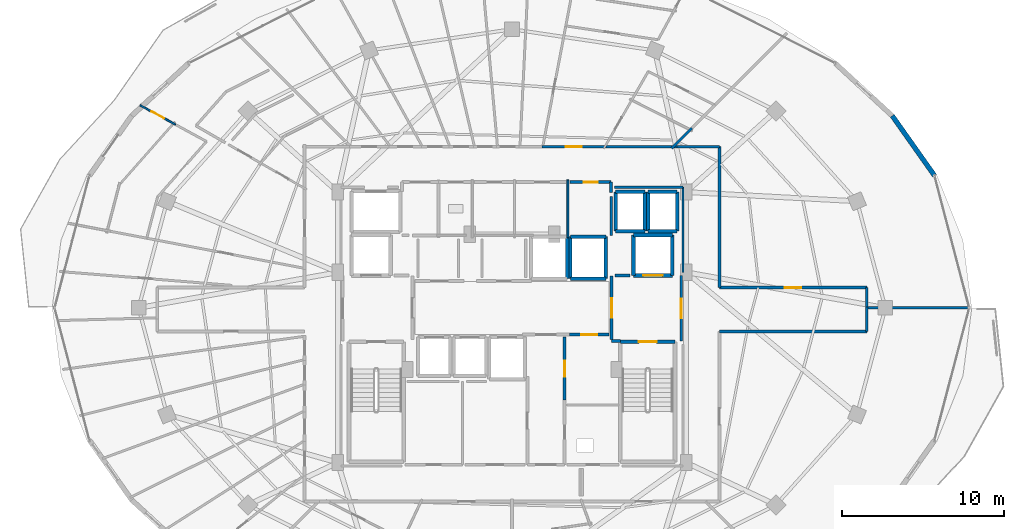
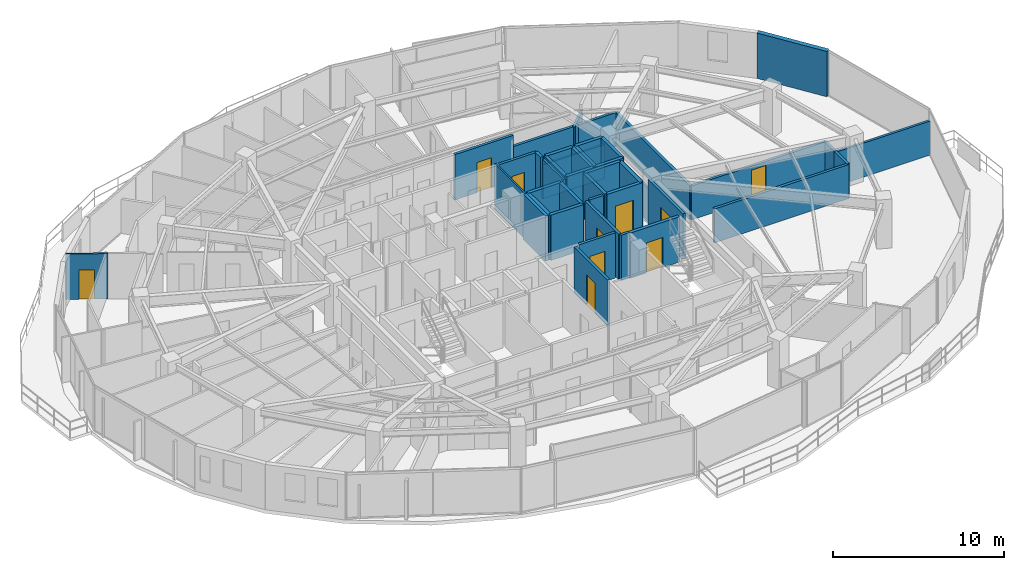
# One storey, part 28 of 33: 42 walls, 10 doors, 10 openings.
"""IFC4 building model written with IfcOpenShell, lengths in metres."""

from ifc_helpers import new_model, si_unit, direction, frame, frame_2d, origin, place, context, subcontext, project, spatial, rectangle, extrude, material, layer, layer_set, type_object, element, fill, save


model = new_model("IFC4")

# Units and contexts
model_context = context("Model", 3, precision=1e-05, world=origin(), true_north=direction((0.0, 1.0)))
body_context = subcontext(model_context, "Body", "Model", "MODEL_VIEW")
ifc_project = project(units=[si_unit("LENGTHUNIT", "METRE"), si_unit("AREAUNIT", "SQUARE_METRE"), si_unit("VOLUMEUNIT", "CUBIC_METRE"), si_unit("PLANEANGLEUNIT", "RADIAN"), si_unit("MASSUNIT", "GRAM", prefix="KILO")], contexts=[model_context])

# Site, building, storey
site_placement = place(None, origin())
site = spatial("IfcSite", under=ifc_project, at=site_placement, CompositionType="ELEMENT")
building_placement = place(site_placement, origin())
building = spatial("IfcBuilding", under=site, at=building_placement, Name="Vorneva Point Tower", CompositionType="ELEMENT")
storey_placement = place(building_placement, frame((0.0, 0.0, 189.60009765625)))
storey = spatial("IfcBuildingStorey", under=building, at=storey_placement, Name="L51", CompositionType="ELEMENT", Elevation=189.60009765625)

# Wall, opening, door
ifc_material_1 = material(Name="Concrete B60 (C50/60)", Category="concrete")
ifc_layer_1 = layer(ifc_material_1, 0.35009765625)
ifc_layer_set_1 = layer_set([ifc_layer_1], Name="Concrete B60 (C50/60)")
wall_type_1 = type_object("IfcWallType", Name="WL-CORE-350", PredefinedType="SHEAR", material=ifc_layer_set_1)
wall_1_placement = place(storey_placement, frame((45.5, 28.0, 0.0), z_axis=(0.0, 0.0, 1.0), x_axis=(1.0, 0.0, 0.0)))
wall_1 = element("IfcWall", 1, at=wall_1_placement, inside=storey, type_object=wall_type_1, Name="L51 Lift FFL2 Shaft Wall -Y", PredefinedType="SHEAR", context=body_context, shape_type="SweptSolid", body=[
    extrude(rectangle(XDim=2.39990234375, YDim=0.219970703125, at=frame_2d((1.199951171875, 0.0))), origin(), (0.0, 0.0, 1.0), 3.239990234375),
])
opening_1_placement = place(wall_1_placement, frame((0.60009765625, 0.0, 0.0)))
opening_1 = element("IfcOpeningElement", 2, at=opening_1_placement, cuts=wall_1, Name="Opening LD-02", PredefinedType="OPENING", context=body_context, shape_type="SweptSolid", body=[
    extrude(rectangle(XDim=1.199951171875, YDim=2.199951171875, at=frame_2d((0.60009765625, 1.10009765625))), frame((0.0, 0.125, 0.0), z_axis=(0.0, -1.0, 0.0), x_axis=(1.0, 0.0, 0.0)), (0.0, 0.0, 1.0), 0.249755859375),
])
ifc_material_2 = material(Name="Brushed stainless steel S304", Category="steel")
door_type_1 = type_object("IfcDoorType", Name="LD-FIRE-1200", OperationType="SLIDING_TO_LEFT", PredefinedType="DOOR", material=ifc_material_2)
door_1_placement = place(opening_1_placement, origin())
door_1 = element("IfcDoor", 3, at=door_1_placement, inside=storey, type_object=door_type_1, Name="L51 Lift FFL2 Sliding Landing Door", OperationType="SLIDING_TO_LEFT", OverallHeight=2.199951171875, OverallWidth=1.199951171875, PredefinedType="DOOR", context=body_context, shape_type="SweptSolid", body=[
    extrude(rectangle(XDim=1.199951171875, YDim=2.199951171875, at=frame_2d((0.60009765625, 1.10009765625))), frame((0.0, 0.02490234375, 0.0), z_axis=(0.0, -1.0, 0.0), x_axis=(1.0, 0.0, 0.0)), (0.0, 0.0, 1.0), 0.050048828125),
])
fill(opening_1, door_1)

# Walls
wall_2_placement = place(storey_placement, frame((47.89990234375, 28.0, 0.0), z_axis=(0.0, 0.0, 1.0), x_axis=(0.0, 1.0, 0.0)))
element("IfcWall", 4, at=wall_2_placement, inside=storey, type_object=wall_type_1, Name="L51 Lift FFL2 Shaft Wall +X", PredefinedType="SHEAR", context=body_context, shape_type="SweptSolid", body=[
    extrude(rectangle(XDim=2.5, YDim=0.219970703125, at=frame_2d((1.25, 0.0))), origin(), (0.0, 0.0, 1.0), 3.239990234375),
])
wall_3_placement = place(storey_placement, frame((47.89990234375, 30.5, 0.0), z_axis=(0.0, 0.0, 1.0), x_axis=(-1.0, 0.0, 0.0)))
element("IfcWall", 5, at=wall_3_placement, inside=storey, type_object=wall_type_1, Name="L51 Lift FFL2 Shaft Wall +Y", PredefinedType="SHEAR", context=body_context, shape_type="SweptSolid", body=[
    extrude(rectangle(XDim=2.39990234375, YDim=0.219970703125, at=frame_2d((1.199951171875, 0.0))), origin(), (0.0, 0.0, 1.0), 3.239990234375),
])
wall_4_placement = place(storey_placement, frame((45.5, 30.5, 0.0), z_axis=(0.0, 0.0, 1.0), x_axis=(0.0, -1.0, 0.0)))
element("IfcWall", 6, at=wall_4_placement, inside=storey, type_object=wall_type_1, Name="L51 Lift FFL2 Shaft Wall -X", PredefinedType="SHEAR", context=body_context, shape_type="SweptSolid", body=[
    extrude(rectangle(XDim=2.5, YDim=0.219970703125, at=frame_2d((1.25, 0.0))), origin(), (0.0, 0.0, 1.0), 3.239990234375),
])
ifc_material_3 = material(Name="Precast concrete B50 (C40/50)", Category="concrete")
ifc_layer_2 = layer(ifc_material_3, 0.300048828125)
ifc_layer_set_2 = layer_set([ifc_layer_2], Name="Precast concrete B50 (C40/50)")
wall_type_2 = type_object("IfcWallType", Name="WL-EXT-300", PredefinedType="STANDARD", material=ifc_layer_set_2)
wall_5_placement = place(storey_placement, frame((64.0810546875, 34.17041015625, 0.0), z_axis=(0.0, 0.0, 1.0), x_axis=(-0.577168747264, 0.81662490605, 0.0)))
element("IfcWall", 7, at=wall_5_placement, inside=storey, type_object=wall_type_2, Name="L51 Pale-Metal Facade Spandrel Wall 02.1", PredefinedType="STANDARD", context=body_context, shape_type="SweptSolid", body=[
    extrude(rectangle(XDim=4.519775390625, YDim=0.300048828125, at=frame_2d((2.259765625, 0.0))), origin(), (0.0, 0.0, 1.0), 3.239990234375),
])
ifc_material_4 = material(Name="Fire-rated acoustic gypsum stud partition", Category="gypsum")
ifc_layer_3 = layer(ifc_material_4, 0.110107421875)
ifc_layer_set_3 = layer_set([ifc_layer_3], Name="Fire-rated acoustic gypsum stud partition")
wall_type_3 = type_object("IfcWallType", Name="WL-PART-110", PredefinedType="PARTITIONING", material=ifc_layer_set_3)
wall_6_placement = place(storey_placement, frame((41.449951171875, 30.340087890625, 0.0), z_axis=(0.0, 0.0, 1.0), x_axis=(0.0, 1.0, 0.0)))
element("IfcWall", 8, at=wall_6_placement, inside=storey, type_object=wall_type_3, Name="L51 Interior Partition 026", PredefinedType="PARTITIONING", context=body_context, shape_type="SweptSolid", body=[
    extrude(rectangle(XDim=3.559814453125, YDim=0.110107421875, at=frame_2d((1.77978515625, 0.0))), origin(), (0.0, 0.0, 1.0), 3.239990234375),
])

# Wall, opening, door
wall_7_placement = place(storey_placement, frame((15.041015625, 38.510009765625, 0.0), z_axis=(0.0, 0.0, 1.0), x_axis=(0.877951724479, -0.478749171784, 0.0)))
wall_7 = element("IfcWall", 9, at=wall_7_placement, inside=storey, type_object=wall_type_3, Name="L51 Interior Partition 096", PredefinedType="PARTITIONING", context=body_context, shape_type="SweptSolid", body=[
    extrude(rectangle(XDim=2.4921875, YDim=0.110107421875, at=frame_2d((1.24609375, 0.0))), origin(), (0.0, 0.0, 1.0), 3.239990234375),
])
opening_2_placement = place(wall_7_placement, frame((0.7958984375, 0.0, 0.0)))
opening_2 = element("IfcOpeningElement", 10, at=opening_2_placement, cuts=wall_7, Name="Opening ID-01", PredefinedType="OPENING", context=body_context, shape_type="SweptSolid", body=[
    extrude(rectangle(XDim=0.89990234375, YDim=2.10009765625, at=frame_2d((0.449951171875, 1.050048828125))), frame((0.0, 0.06982421875, 0.0), z_axis=(0.0, -1.0, 0.0), x_axis=(1.0, 0.0, 0.0)), (0.0, 0.0, 1.0), 0.139892578125),
])
ifc_material_5 = material(Name="Engineered oak fire-rated door leaf", Category="wood")
door_type_2 = type_object("IfcDoorType", Name="DR-ROOM-900", OperationType="NOTDEFINED", PredefinedType="DOOR", material=ifc_material_5)
door_2_placement = place(opening_2_placement, origin())
door_2 = element("IfcDoor", 11, at=door_2_placement, inside=storey, type_object=door_type_2, Name="L51 Door Living and Dining Room L51-02 / Kitchen L51-02", OperationType="SINGLE_SWING_LEFT", OverallHeight=2.10009765625, OverallWidth=0.89990234375, PredefinedType="DOOR", context=body_context, shape_type="SweptSolid", body=[
    extrude(rectangle(XDim=0.89990234375, YDim=2.10009765625, at=frame_2d((0.449951171875, 1.050048828125))), frame((0.0, 0.02490234375, 0.0), z_axis=(0.0, -1.0, 0.0), x_axis=(1.0, 0.0, 0.0)), (0.0, 0.0, 1.0), 0.050048828125),
])
fill(opening_2, door_2)

# Walls
ifc_layer_4 = layer(ifc_material_4, 0.139892578125)
ifc_layer_set_4 = layer_set([ifc_layer_4], Name="Fire-rated acoustic gypsum stud partition")
wall_type_4 = type_object("IfcWallType", Name="WL-PART-140", PredefinedType="PARTITIONING", material=ifc_layer_set_4)
wall_8_placement = place(storey_placement, frame((44.1201171875, 30.47998046875, 0.0), z_axis=(0.0, 0.0, 1.0), x_axis=(0.0, 1.0, 0.0)))
element("IfcWall", 12, at=wall_8_placement, inside=storey, type_object=wall_type_4, Name="L51 Interior Closure Partition 136", PredefinedType="PARTITIONING", context=body_context, shape_type="SweptSolid", body=[
    extrude(rectangle(XDim=2.409912109375, YDim=0.139892578125, at=frame_2d((1.205078125, 0.0))), origin(), (0.0, 0.0, 1.0), 3.239990234375),
])
wall_9_placement = place(storey_placement, frame((48.550048828125, 28.196044921875, 0.0), z_axis=(0.0, 0.0, 1.0), x_axis=(0.0, 1.0, 0.0)))
element("IfcWall", 13, at=wall_9_placement, inside=storey, type_object=wall_type_4, Name="L51 Interior Closure Partition 143", PredefinedType="PARTITIONING", context=body_context, shape_type="SweptSolid", body=[
    extrude(rectangle(XDim=5.25390625, YDim=0.139892578125, at=frame_2d((2.626953125, 0.0))), origin(), (0.0, 0.0, 1.0), 2.431884765625),
])
wall_10_placement = place(storey_placement, frame((48.550048828125, 33.449951171875, 0.0), z_axis=(0.0, 0.0, 1.0), x_axis=(-1.0, 0.0, 0.0)))
element("IfcWall", 14, at=wall_10_placement, inside=storey, type_object=wall_type_4, Name="L51 Interior Closure Partition 144", PredefinedType="PARTITIONING", context=body_context, shape_type="SweptSolid", body=[
    extrude(rectangle(XDim=4.2099609375, YDim=0.139892578125, at=frame_2d((2.10498046875, 0.0))), origin(), (0.0, 0.0, 1.0), 2.431884765625),
])
ifc_layer_5 = layer(ifc_material_4, 0.159912109375)
ifc_layer_set_5 = layer_set([ifc_layer_5], Name="Fire-rated acoustic gypsum stud partition")
wall_type_5 = type_object("IfcWallType", Name="WL-PART-160", PredefinedType="PARTITIONING", material=ifc_layer_set_5)
wall_11_placement = place(storey_placement, frame((47.85107421875, 35.85107421875, 0.0), z_axis=(0.0, 0.0, 1.0), x_axis=(0.707106781187, 0.707106781187, 0.0)))
element("IfcWall", 15, at=wall_11_placement, inside=storey, type_object=wall_type_5, Name="L51 Interior Partition 084", PredefinedType="PARTITIONING", context=body_context, shape_type="SweptSolid", body=[
    extrude(rectangle(XDim=1.76318359375, YDim=0.159912109375, at=frame_2d((0.881591796875, 0.0))), origin(), (0.0, 0.0, 1.0), 2.431884765625),
])
wall_12_placement = place(storey_placement, frame((66.22900390625, 26.0, 0.0), z_axis=(0.0, 0.0, 1.0), x_axis=(-1.0, 0.0, 0.0)))
element("IfcWall", 16, at=wall_12_placement, inside=storey, type_object=wall_type_5, Name="L51 Interior Partition 132", PredefinedType="PARTITIONING", context=body_context, shape_type="SweptSolid", body=[
    extrude(rectangle(XDim=6.3291015625, YDim=0.159912109375, at=frame_2d((3.16455078125, 0.0))), origin(), (0.0, 0.0, 1.0), 2.431884765625),
])

# Wall, opening, door
ifc_material_6 = material(Name="Autoclaved aerated concrete blockwork", Category="masonry")
ifc_layer_6 = layer(ifc_material_6, 0.179931640625)
ifc_layer_set_6 = layer_set([ifc_layer_6], Name="Autoclaved aerated concrete blockwork")
wall_type_6 = type_object("IfcWallType", Name="WL-PART-180", PredefinedType="PARTITIONING", material=ifc_layer_set_6)
wall_13_placement = place(storey_placement, frame((44.14990234375, 27.955078125, 0.0), z_axis=(0.0, 0.0, 1.0), x_axis=(0.0, -1.0, 0.0)))
wall_13 = element("IfcWall", 17, at=wall_13_placement, inside=storey, type_object=wall_type_6, Name="L51 Interior Partition 003", PredefinedType="PARTITIONING", context=body_context, shape_type="SweptSolid", body=[
    extrude(rectangle(XDim=3.91015625, YDim=0.179931640625, at=frame_2d((1.955078125, 0.0))), origin(), (0.0, 0.0, 1.0), 3.239990234375),
])
opening_3_placement = place(wall_13_placement, frame((1.35498046875, 0.0, 0.0)))
opening_3 = element("IfcOpeningElement", 18, at=opening_3_placement, cuts=wall_13, Name="Opening FD-02", PredefinedType="OPENING", context=body_context, shape_type="SweptSolid", body=[
    extrude(rectangle(XDim=1.199951171875, YDim=2.14990234375, at=frame_2d((0.60009765625, 1.074951171875))), frame((0.0, 0.10498046875, 0.0), z_axis=(0.0, -1.0, 0.0), x_axis=(1.0, 0.0, 0.0)), (0.0, 0.0, 1.0), 0.209716796875),
])
ifc_material_7 = material(Name="Fire-rated powder-coated steel", Category="steel")
door_type_3 = type_object("IfcDoorType", Name="DR-FFL-1200", OperationType="NOTDEFINED", PredefinedType="DOOR", material=ifc_material_7)
door_3_placement = place(opening_3_placement, origin())
door_3 = element("IfcDoor", 19, at=door_3_placement, inside=storey, type_object=door_type_3, Name="L51 Door East Firefighting Lobby / Central Lift Lobby", OperationType="SINGLE_SWING_RIGHT", OverallHeight=2.14990234375, OverallWidth=1.199951171875, PredefinedType="DOOR", context=body_context, shape_type="SweptSolid", body=[
    extrude(rectangle(XDim=1.199951171875, YDim=2.14990234375, at=frame_2d((0.60009765625, 1.074951171875))), frame((0.0, 0.02490234375, 0.0), z_axis=(0.0, -1.0, 0.0), x_axis=(1.0, 0.0, 0.0)), (0.0, 0.0, 1.0), 0.050048828125),
])
fill(opening_3, door_3)

# Wall
wall_14_placement = place(storey_placement, frame((44.14990234375, 23.949951171875, 0.0), z_axis=(0.0, 0.0, 1.0), x_axis=(1.0, 0.0, 0.0)))
element("IfcWall", 20, at=wall_14_placement, inside=storey, type_object=wall_type_6, Name="L51 Interior Partition 004", PredefinedType="PARTITIONING", context=body_context, shape_type="SweptSolid", body=[
    extrude(rectangle(XDim=0.5400390625, YDim=0.179931640625, at=frame_2d((0.27001953125, 0.0))), origin(), (0.0, 0.0, 1.0), 3.239990234375),
])

# Wall, opening, door
wall_15_placement = place(storey_placement, frame((48.449951171875, 23.949951171875, 0.0), z_axis=(0.0, 0.0, 1.0), x_axis=(0.0, 1.0, 0.0)))
wall_15 = element("IfcWall", 21, at=wall_15_placement, inside=storey, type_object=wall_type_6, Name="L51 Interior Partition 005", PredefinedType="PARTITIONING", context=body_context, shape_type="SweptSolid", body=[
    extrude(rectangle(XDim=4.050048828125, YDim=0.179931640625, at=frame_2d((2.02490234375, 0.0))), origin(), (0.0, 0.0, 1.0), 3.239990234375),
])
opening_4_placement = place(wall_15_placement, frame((1.425048828125, 0.0, 0.0)))
opening_4 = element("IfcOpeningElement", 22, at=opening_4_placement, cuts=wall_15, Name="Opening FD-02", PredefinedType="OPENING", context=body_context, shape_type="SweptSolid", body=[
    extrude(rectangle(XDim=1.199951171875, YDim=2.14990234375, at=frame_2d((0.60009765625, 1.074951171875))), frame((0.0, 0.10498046875, 0.0), z_axis=(0.0, -1.0, 0.0), x_axis=(1.0, 0.0, 0.0)), (0.0, 0.0, 1.0), 0.209716796875),
])
door_4_placement = place(opening_4_placement, origin())
door_4 = element("IfcDoor", 23, at=door_4_placement, inside=storey, type_object=door_type_3, Name="L51 Door East Firefighting Lobby / L51 Circulation Corridor", OperationType="SINGLE_SWING_LEFT", OverallHeight=2.14990234375, OverallWidth=1.199951171875, PredefinedType="DOOR", context=body_context, shape_type="SweptSolid", body=[
    extrude(rectangle(XDim=1.199951171875, YDim=2.14990234375, at=frame_2d((0.60009765625, 1.074951171875))), frame((0.0, 0.02490234375, 0.0), z_axis=(0.0, -1.0, 0.0), x_axis=(1.0, 0.0, 0.0)), (0.0, 0.0, 1.0), 0.050048828125),
])
fill(opening_4, door_4)

wall_16_placement = place(storey_placement, frame((41.554931640625, 24.35009765625, 0.0), z_axis=(0.0, 0.0, 1.0), x_axis=(1.0, 0.0, 0.0)))
wall_16 = element("IfcWall", 24, at=wall_16_placement, inside=storey, type_object=wall_type_6, Name="L51 Interior Partition 011", PredefinedType="PARTITIONING", context=body_context, shape_type="SweptSolid", body=[
    extrude(rectangle(XDim=2.445068359375, YDim=0.179931640625, at=frame_2d((1.22265625, 0.0))), origin(), (0.0, 0.0, 1.0), 3.239990234375),
])
opening_5_placement = place(wall_16_placement, frame((0.722412109375, 0.0, 0.0)))
opening_5 = element("IfcOpeningElement", 25, at=opening_5_placement, cuts=wall_16, Name="Opening UD-01", PredefinedType="OPENING", context=body_context, shape_type="SweptSolid", body=[
    extrude(rectangle(XDim=1.0, YDim=2.14990234375, at=frame_2d((0.5, 1.074951171875))), frame((0.0, 0.10498046875, 0.0), z_axis=(0.0, -1.0, 0.0), x_axis=(1.0, 0.0, 0.0)), (0.0, 0.0, 1.0), 0.209716796875),
])
door_type_4 = type_object("IfcDoorType", Name="DR-UNIT-1000", OperationType="NOTDEFINED", PredefinedType="DOOR", material=ifc_material_5)
door_5_placement = place(opening_5_placement, origin())
door_5 = element("IfcDoor", 26, at=door_5_placement, inside=storey, type_object=door_type_4, Name="L51 Door Central Lift Lobby / Floor Management Office", OperationType="SINGLE_SWING_RIGHT", OverallHeight=2.14990234375, OverallWidth=1.0, PredefinedType="DOOR", context=body_context, shape_type="SweptSolid", body=[
    extrude(rectangle(XDim=1.0, YDim=2.14990234375, at=frame_2d((0.5, 1.074951171875))), frame((0.0, 0.02490234375, 0.0), z_axis=(0.0, -1.0, 0.0), x_axis=(1.0, 0.0, 0.0)), (0.0, 0.0, 1.0), 0.050048828125),
])
fill(opening_5, door_5)

wall_17_placement = place(storey_placement, frame((41.25, 20.304931640625, 0.0), z_axis=(0.0, 0.0, 1.0), x_axis=(0.0, 1.0, 0.0)))
wall_17 = element("IfcWall", 27, at=wall_17_placement, inside=storey, type_object=wall_type_6, Name="L51 Interior Partition 015", PredefinedType="PARTITIONING", context=body_context, shape_type="SweptSolid", body=[
    extrude(rectangle(XDim=3.89501953125, YDim=0.179931640625, at=frame_2d((1.947509765625, 0.0))), origin(), (0.0, 0.0, 1.0), 3.239990234375),
])
opening_6_placement = place(wall_17_placement, frame((1.447509765625, 0.0, 0.0)))
opening_6 = element("IfcOpeningElement", 28, at=opening_6_placement, cuts=wall_17, Name="Opening UD-01", PredefinedType="OPENING", context=body_context, shape_type="SweptSolid", body=[
    extrude(rectangle(XDim=1.0, YDim=2.14990234375, at=frame_2d((0.5, 1.074951171875))), frame((0.0, 0.10498046875, 0.0), z_axis=(0.0, -1.0, 0.0), x_axis=(1.0, 0.0, 0.0)), (0.0, 0.0, 1.0), 0.209716796875),
])
door_6_placement = place(opening_6_placement, origin())
door_6 = element("IfcDoor", 29, at=door_6_placement, inside=storey, type_object=door_type_4, Name="L51 Door Core Service Lobby / Floor Management Office", OperationType="SINGLE_SWING_RIGHT", OverallHeight=2.14990234375, OverallWidth=1.0, PredefinedType="DOOR", context=body_context, shape_type="SweptSolid", body=[
    extrude(rectangle(XDim=1.0, YDim=2.14990234375, at=frame_2d((0.5, 1.074951171875))), frame((0.0, 0.02490234375, 0.0), z_axis=(0.0, -1.0, 0.0), x_axis=(1.0, 0.0, 0.0)), (0.0, 0.0, 1.0), 0.050048828125),
])
fill(opening_6, door_6)

wall_18_placement = place(storey_placement, frame((44.1201171875, 33.760009765625, 0.0), z_axis=(0.0, 0.0, 1.0), x_axis=(-1.0, 0.0, 0.0)))
wall_18 = element("IfcWall", 30, at=wall_18_placement, inside=storey, type_object=wall_type_6, Name="L51 Interior Partition 029", PredefinedType="PARTITIONING", context=body_context, shape_type="SweptSolid", body=[
    extrude(rectangle(XDim=2.530029296875, YDim=0.179931640625, at=frame_2d((1.26513671875, 0.0))), origin(), (0.0, 0.0, 1.0), 3.239990234375),
])
opening_7_placement = place(wall_18_placement, frame((0.840087890625, 0.0, 0.0)))
opening_7 = element("IfcOpeningElement", 31, at=opening_7_placement, cuts=wall_18, Name="Opening ID-02", PredefinedType="OPENING", context=body_context, shape_type="SweptSolid", body=[
    extrude(rectangle(XDim=0.85009765625, YDim=2.10009765625, at=frame_2d((0.425048828125, 1.050048828125))), frame((0.0, 0.10498046875, 0.0), z_axis=(0.0, -1.0, 0.0), x_axis=(1.0, 0.0, 0.0)), (0.0, 0.0, 1.0), 0.209716796875),
])
door_type_5 = type_object("IfcDoorType", Name="DR-BATH-850", OperationType="NOTDEFINED", PredefinedType="DOOR", material=ifc_material_5)
door_7_placement = place(opening_7_placement, origin())
door_7 = element("IfcDoor", 32, at=door_7_placement, inside=storey, type_object=door_type_5, Name="L51 Door Cleaners Store / L51 Circulation Corridor", OperationType="SINGLE_SWING_LEFT", OverallHeight=2.10009765625, OverallWidth=0.85009765625, PredefinedType="DOOR", context=body_context, shape_type="SweptSolid", body=[
    extrude(rectangle(XDim=0.85009765625, YDim=2.10009765625, at=frame_2d((0.425048828125, 1.050048828125))), frame((0.0, 0.02490234375, 0.0), z_axis=(0.0, -1.0, 0.0), x_axis=(1.0, 0.0, 0.0)), (0.0, 0.0, 1.0), 0.050048828125),
])
fill(opening_7, door_7)

# Wall
wall_19_placement = place(storey_placement, frame((44.1201171875, 33.110107421875, 0.0), z_axis=(0.0, 0.0, 1.0), x_axis=(0.0, 1.0, 0.0)))
element("IfcWall", 33, at=wall_19_placement, inside=storey, type_object=wall_type_6, Name="L51 Interior Partition 030", PredefinedType="PARTITIONING", context=body_context, shape_type="SweptSolid", body=[
    extrude(rectangle(XDim=0.64990234375, YDim=0.179931640625, at=frame_2d((0.324951171875, 0.0))), origin(), (0.0, 0.0, 1.0), 3.239990234375),
])

# Wall, opening, door
wall_20_placement = place(storey_placement, frame((43.802978515625, 35.949951171875, 0.0), z_axis=(0.0, 0.0, 1.0), x_axis=(-1.0, 0.0, 0.0)))
wall_20 = element("IfcWall", 34, at=wall_20_placement, inside=storey, type_object=wall_type_6, Name="L51 Interior Partition 034", PredefinedType="PARTITIONING", context=body_context, shape_type="SweptSolid", body=[
    extrude(rectangle(XDim=3.965087890625, YDim=0.179931640625, at=frame_2d((1.982421875, 0.0))), origin(), (0.0, 0.0, 1.0), 3.239990234375),
])
opening_8_placement = place(wall_20_placement, frame((1.482421875, 0.0, 0.0)))
opening_8 = element("IfcOpeningElement", 35, at=opening_8_placement, cuts=wall_20, Name="Opening UD-01", PredefinedType="OPENING", context=body_context, shape_type="SweptSolid", body=[
    extrude(rectangle(XDim=1.0, YDim=2.14990234375, at=frame_2d((0.5, 1.074951171875))), frame((0.0, 0.10498046875, 0.0), z_axis=(0.0, -1.0, 0.0), x_axis=(1.0, 0.0, 0.0)), (0.0, 0.0, 1.0), 0.209716796875),
])
door_8_placement = place(opening_8_placement, origin())
door_8 = element("IfcDoor", 36, at=door_8_placement, inside=storey, type_object=door_type_4, Name="L51 Door L51 Circulation Corridor / Living and Dining Room L51-01", OperationType="SINGLE_SWING_RIGHT", OverallHeight=2.14990234375, OverallWidth=1.0, PredefinedType="DOOR", context=body_context, shape_type="SweptSolid", body=[
    extrude(rectangle(XDim=1.0, YDim=2.14990234375, at=frame_2d((0.5, 1.074951171875))), frame((0.0, 0.02490234375, 0.0), z_axis=(0.0, -1.0, 0.0), x_axis=(1.0, 0.0, 0.0)), (0.0, 0.0, 1.0), 0.050048828125),
])
fill(opening_8, door_8)

# Walls
wall_21_placement = place(storey_placement, frame((48.175048828125, 35.949951171875, 0.0), z_axis=(0.0, 0.0, 1.0), x_axis=(-1.0, 0.0, 0.0)))
element("IfcWall", 37, at=wall_21_placement, inside=storey, type_object=wall_type_6, Name="L51 Interior Partition 035", PredefinedType="PARTITIONING", context=body_context, shape_type="SweptSolid", body=[
    extrude(rectangle(XDim=4.511962890625, YDim=0.179931640625, at=frame_2d((2.255859375, 0.0))), origin(), (0.0, 0.0, 1.0), 2.431884765625),
])
wall_22_placement = place(storey_placement, frame((50.800048828125, 24.550048828125, 0.0), z_axis=(0.0, 0.0, 1.0), x_axis=(1.0, 0.0, 0.0)))
element("IfcWall", 38, at=wall_22_placement, inside=storey, type_object=wall_type_6, Name="L51 Interior Partition 066", PredefinedType="PARTITIONING", context=body_context, shape_type="SweptSolid", body=[
    extrude(rectangle(XDim=9.099853515625, YDim=0.179931640625, at=frame_2d((4.5498046875, 0.0))), origin(), (0.0, 0.0, 1.0), 2.431884765625),
])
wall_23_placement = place(storey_placement, frame((59.89990234375, 24.550048828125, 0.0), z_axis=(0.0, 0.0, 1.0), x_axis=(0.0, 1.0, 0.0)))
element("IfcWall", 39, at=wall_23_placement, inside=storey, type_object=wall_type_6, Name="L51 Interior Partition 067", PredefinedType="PARTITIONING", context=body_context, shape_type="SweptSolid", body=[
    extrude(rectangle(XDim=1.510009765625, YDim=0.179931640625, at=frame_2d((0.7548828125, 0.0))), origin(), (0.0, 0.0, 1.0), 2.431884765625),
])
wall_24_placement = place(storey_placement, frame((59.89990234375, 26.06005859375, 0.0), z_axis=(0.0, 0.0, 1.0), x_axis=(0.0, 1.0, 0.0)))
element("IfcWall", 40, at=wall_24_placement, inside=storey, type_object=wall_type_6, Name="L51 Interior Partition 068", PredefinedType="PARTITIONING", context=body_context, shape_type="SweptSolid", body=[
    extrude(rectangle(XDim=1.18994140625, YDim=0.179931640625, at=frame_2d((0.594970703125, 0.0))), origin(), (0.0, 0.0, 1.0), 2.431884765625),
])

# Wall, opening, door
wall_25_placement = place(storey_placement, frame((59.89990234375, 27.25, 0.0), z_axis=(0.0, 0.0, 1.0), x_axis=(-1.0, 0.0, 0.0)))
wall_25 = element("IfcWall", 41, at=wall_25_placement, inside=storey, type_object=wall_type_6, Name="L51 Interior Partition 069", PredefinedType="PARTITIONING", context=body_context, shape_type="SweptSolid", body=[
    extrude(rectangle(XDim=9.099853515625, YDim=0.179931640625, at=frame_2d((4.5498046875, 0.0))), origin(), (0.0, 0.0, 1.0), 2.431884765625),
])
opening_9_placement = place(wall_25_placement, frame((4.050048828125, 0.0, 0.0)))
opening_9 = element("IfcOpeningElement", 42, at=opening_9_placement, cuts=wall_25, Name="Opening UD-01", PredefinedType="OPENING", context=body_context, shape_type="SweptSolid", body=[
    extrude(rectangle(XDim=1.0, YDim=2.14990234375, at=frame_2d((0.5, 1.074951171875))), frame((0.0, 0.10498046875, 0.0), z_axis=(0.0, -1.0, 0.0), x_axis=(1.0, 0.0, 0.0)), (0.0, 0.0, 1.0), 0.209716796875),
])
door_9_placement = place(opening_9_placement, origin())
door_9 = element("IfcDoor", 43, at=door_9_placement, inside=storey, type_object=door_type_4, Name="L51 Door L51 Circulation Corridor / Residents Sky Lounge L51-06", OperationType="SINGLE_SWING_LEFT", OverallHeight=2.14990234375, OverallWidth=1.0, PredefinedType="DOOR", context=body_context, shape_type="SweptSolid", body=[
    extrude(rectangle(XDim=1.0, YDim=2.14990234375, at=frame_2d((0.5, 1.074951171875))), frame((0.0, 0.02490234375, 0.0), z_axis=(0.0, -1.0, 0.0), x_axis=(1.0, 0.0, 0.0)), (0.0, 0.0, 1.0), 0.050048828125),
])
fill(opening_9, door_9)

# Walls
wall_26_placement = place(storey_placement, frame((50.800048828125, 27.25, 0.0), z_axis=(0.0, 0.0, 1.0), x_axis=(0.0, 1.0, 0.0)))
element("IfcWall", 44, at=wall_26_placement, inside=storey, type_object=wall_type_6, Name="L51 Interior Partition 070", PredefinedType="PARTITIONING", context=body_context, shape_type="SweptSolid", body=[
    extrude(rectangle(XDim=8.699951171875, YDim=0.179931640625, at=frame_2d((4.35009765625, 0.0))), origin(), (0.0, 0.0, 1.0), 2.431884765625),
])
wall_27_placement = place(storey_placement, frame((50.800048828125, 35.949951171875, 0.0), z_axis=(0.0, 0.0, 1.0), x_axis=(-1.0, 0.0, 0.0)))
element("IfcWall", 45, at=wall_27_placement, inside=storey, type_object=wall_type_6, Name="L51 Interior Partition 071", PredefinedType="PARTITIONING", context=body_context, shape_type="SweptSolid", body=[
    extrude(rectangle(XDim=2.625, YDim=0.179931640625, at=frame_2d((1.3125, 0.0))), origin(), (0.0, 0.0, 1.0), 2.431884765625),
])
wall_28_placement = place(storey_placement, frame((45.280029296875, 28.0, 0.0), z_axis=(0.0, 0.0, 1.0), x_axis=(-1.0, 0.0, 0.0)))
element("IfcWall", 46, at=wall_28_placement, inside=storey, type_object=wall_type_6, Name="L51 Interior Closure Partition 134", PredefinedType="PARTITIONING", context=body_context, shape_type="SweptSolid", body=[
    extrude(rectangle(XDim=0.9150390625, YDim=0.179931640625, at=frame_2d((0.45751953125, 0.0))), origin(), (0.0, 0.0, 1.0), 3.239990234375),
])

# Wall, opening, door
ifc_material_8 = material(Name="Concrete B50 (C40/50)", Category="concrete")
ifc_layer_7 = layer(ifc_material_8, 0.219970703125)
ifc_layer_set_7 = layer_set([ifc_layer_7], Name="Concrete B50 (C40/50)")
wall_type_7 = type_object("IfcWallType", Name="WL-SHFT-220", PredefinedType="SOLIDWALL", material=ifc_layer_set_7)
wall_29_placement = place(storey_placement, frame((44.68994140625, 23.909912109375, 0.0), z_axis=(0.0, 0.0, 1.0), x_axis=(1.0, 0.0, 0.0)))
wall_29 = element("IfcWall", 47, at=wall_29_placement, inside=storey, type_object=wall_type_7, Name="L51 Exit Stair ST2 Shaft Wall near", PredefinedType="SOLIDWALL", context=body_context, shape_type="SweptSolid", body=[
    extrude(rectangle(XDim=3.3701171875, YDim=0.219970703125, at=frame_2d((1.68505859375, 0.0))), origin(), (0.0, 0.0, 1.0), 3.239990234375),
])
opening_10_placement = place(wall_29_placement, frame((1.135009765625, 0.0, 0.0)))
opening_10 = element("IfcOpeningElement", 48, at=opening_10_placement, cuts=wall_29, Name="Opening FD-01", PredefinedType="OPENING", context=body_context, shape_type="SweptSolid", body=[
    extrude(rectangle(XDim=1.10009765625, YDim=2.14990234375, at=frame_2d((0.550048828125, 1.074951171875))), frame((0.0, 0.125, 0.0), z_axis=(0.0, -1.0, 0.0), x_axis=(1.0, 0.0, 0.0)), (0.0, 0.0, 1.0), 0.249755859375),
])
door_type_6 = type_object("IfcDoorType", Name="DR-STAIR-1100", OperationType="NOTDEFINED", PredefinedType="DOOR", material=ifc_material_7)
door_10_placement = place(opening_10_placement, origin())
door_10 = element("IfcDoor", 49, at=door_10_placement, inside=storey, type_object=door_type_6, Name="L51 Exit Stair ST2 Fire Door", OperationType="SINGLE_SWING_RIGHT", OverallHeight=2.14990234375, OverallWidth=1.10009765625, PredefinedType="DOOR", context=body_context, shape_type="SweptSolid", body=[
    extrude(rectangle(XDim=1.10009765625, YDim=2.14990234375, at=frame_2d((0.550048828125, 1.074951171875))), frame((0.0, 0.02490234375, 0.0), z_axis=(0.0, -1.0, 0.0), x_axis=(1.0, 0.0, 0.0)), (0.0, 0.0, 1.0), 0.050048828125),
])
fill(opening_10, door_10)

# Walls
wall_30_placement = place(storey_placement, frame((41.39990234375, 27.800048828125, 0.0), z_axis=(0.0, 0.0, 1.0), x_axis=(0.0, 1.0, 0.0)))
element("IfcWall", 50, at=wall_30_placement, inside=storey, type_object=wall_type_7, Name="L51 Lift PL7 Shaft Wall +X", PredefinedType="SOLIDWALL", context=body_context, shape_type="SweptSolid", body=[
    extrude(rectangle(XDim=2.599853515625, YDim=0.219970703125, at=frame_2d((1.2998046875, 0.0))), origin(), (0.0, 0.0, 1.0), 3.239990234375),
])
wall_31_placement = place(storey_placement, frame((41.60009765625, 27.800048828125, 0.0), z_axis=(0.0, 0.0, 1.0), x_axis=(1.0, 0.0, 0.0)))
element("IfcWall", 51, at=wall_31_placement, inside=storey, type_object=wall_type_7, Name="L51 Lift PL8 Shaft Wall -Y", PredefinedType="SOLIDWALL", context=body_context, shape_type="SweptSolid", body=[
    extrude(rectangle(XDim=2.199951171875, YDim=0.219970703125, at=frame_2d((1.10009765625, 0.0))), origin(), (0.0, 0.0, 1.0), 3.239990234375),
])
wall_32_placement = place(storey_placement, frame((43.800048828125, 27.800048828125, 0.0), z_axis=(0.0, 0.0, 1.0), x_axis=(0.0, 1.0, 0.0)))
element("IfcWall", 52, at=wall_32_placement, inside=storey, type_object=wall_type_7, Name="L51 Lift PL8 Shaft Wall +X", PredefinedType="SOLIDWALL", context=body_context, shape_type="SweptSolid", body=[
    extrude(rectangle(XDim=2.599853515625, YDim=0.219970703125, at=frame_2d((1.2998046875, 0.0))), origin(), (0.0, 0.0, 1.0), 3.239990234375),
])
wall_33_placement = place(storey_placement, frame((43.800048828125, 30.39990234375, 0.0), z_axis=(0.0, 0.0, 1.0), x_axis=(-1.0, 0.0, 0.0)))
element("IfcWall", 53, at=wall_33_placement, inside=storey, type_object=wall_type_7, Name="L51 Lift PL8 Shaft Wall +Y", PredefinedType="SOLIDWALL", context=body_context, shape_type="SweptSolid", body=[
    extrude(rectangle(XDim=2.199951171875, YDim=0.219970703125, at=frame_2d((1.10009765625, 0.0))), origin(), (0.0, 0.0, 1.0), 3.239990234375),
])
wall_34_placement = place(storey_placement, frame((41.60009765625, 30.39990234375, 0.0), z_axis=(0.0, 0.0, 1.0), x_axis=(0.0, -1.0, 0.0)))
element("IfcWall", 54, at=wall_34_placement, inside=storey, type_object=wall_type_7, Name="L51 Lift PL8 Shaft Wall -X", PredefinedType="SOLIDWALL", context=body_context, shape_type="SweptSolid", body=[
    extrude(rectangle(XDim=2.599853515625, YDim=0.219970703125, at=frame_2d((1.2998046875, 0.0))), origin(), (0.0, 0.0, 1.0), 3.239990234375),
])
wall_35_placement = place(storey_placement, frame((44.39990234375, 30.739990234375, 0.0), z_axis=(0.0, 0.0, 1.0), x_axis=(1.0, 0.0, 0.0)))
element("IfcWall", 55, at=wall_35_placement, inside=storey, type_object=wall_type_7, Name="L51 Lift EX1 Shaft Wall -Y", PredefinedType="SOLIDWALL", context=body_context, shape_type="SweptSolid", body=[
    extrude(rectangle(XDim=1.800048828125, YDim=0.219970703125, at=frame_2d((0.89990234375, 0.0))), origin(), (0.0, 0.0, 1.0), 3.239990234375),
])
wall_36_placement = place(storey_placement, frame((46.199951171875, 30.739990234375, 0.0), z_axis=(0.0, 0.0, 1.0), x_axis=(0.0, 1.0, 0.0)))
element("IfcWall", 56, at=wall_36_placement, inside=storey, type_object=wall_type_7, Name="L51 Lift EX1 Shaft Wall +X", PredefinedType="SOLIDWALL", context=body_context, shape_type="SweptSolid", body=[
    extrude(rectangle(XDim=2.419921875, YDim=0.219970703125, at=frame_2d((1.2099609375, 0.0))), origin(), (0.0, 0.0, 1.0), 3.239990234375),
])
wall_37_placement = place(storey_placement, frame((46.199951171875, 33.159912109375, 0.0), z_axis=(0.0, 0.0, 1.0), x_axis=(-1.0, 0.0, 0.0)))
element("IfcWall", 57, at=wall_37_placement, inside=storey, type_object=wall_type_7, Name="L51 Lift EX1 Shaft Wall +Y", PredefinedType="SOLIDWALL", context=body_context, shape_type="SweptSolid", body=[
    extrude(rectangle(XDim=1.800048828125, YDim=0.219970703125, at=frame_2d((0.89990234375, 0.0))), origin(), (0.0, 0.0, 1.0), 3.239990234375),
])
wall_38_placement = place(storey_placement, frame((44.39990234375, 33.159912109375, 0.0), z_axis=(0.0, 0.0, 1.0), x_axis=(0.0, -1.0, 0.0)))
element("IfcWall", 58, at=wall_38_placement, inside=storey, type_object=wall_type_7, Name="L51 Lift EX1 Shaft Wall -X", PredefinedType="SOLIDWALL", context=body_context, shape_type="SweptSolid", body=[
    extrude(rectangle(XDim=2.419921875, YDim=0.219970703125, at=frame_2d((1.2099609375, 0.0))), origin(), (0.0, 0.0, 1.0), 3.239990234375),
])
wall_39_placement = place(storey_placement, frame((46.39990234375, 30.739990234375, 0.0), z_axis=(0.0, 0.0, 1.0), x_axis=(1.0, 0.0, 0.0)))
element("IfcWall", 59, at=wall_39_placement, inside=storey, type_object=wall_type_7, Name="L51 Lift EX2 Shaft Wall -Y", PredefinedType="SOLIDWALL", context=body_context, shape_type="SweptSolid", body=[
    extrude(rectangle(XDim=1.800048828125, YDim=0.219970703125, at=frame_2d((0.89990234375, 0.0))), origin(), (0.0, 0.0, 1.0), 3.239990234375),
])
wall_40_placement = place(storey_placement, frame((48.199951171875, 30.739990234375, 0.0), z_axis=(0.0, 0.0, 1.0), x_axis=(0.0, 1.0, 0.0)))
element("IfcWall", 60, at=wall_40_placement, inside=storey, type_object=wall_type_7, Name="L51 Lift EX2 Shaft Wall +X", PredefinedType="SOLIDWALL", context=body_context, shape_type="SweptSolid", body=[
    extrude(rectangle(XDim=2.419921875, YDim=0.219970703125, at=frame_2d((1.2099609375, 0.0))), origin(), (0.0, 0.0, 1.0), 3.239990234375),
])
wall_41_placement = place(storey_placement, frame((48.199951171875, 33.159912109375, 0.0), z_axis=(0.0, 0.0, 1.0), x_axis=(-1.0, 0.0, 0.0)))
element("IfcWall", 61, at=wall_41_placement, inside=storey, type_object=wall_type_7, Name="L51 Lift EX2 Shaft Wall +Y", PredefinedType="SOLIDWALL", context=body_context, shape_type="SweptSolid", body=[
    extrude(rectangle(XDim=1.800048828125, YDim=0.219970703125, at=frame_2d((0.89990234375, 0.0))), origin(), (0.0, 0.0, 1.0), 3.239990234375),
])
wall_42_placement = place(storey_placement, frame((46.39990234375, 33.159912109375, 0.0), z_axis=(0.0, 0.0, 1.0), x_axis=(0.0, -1.0, 0.0)))
element("IfcWall", 62, at=wall_42_placement, inside=storey, type_object=wall_type_7, Name="L51 Lift EX2 Shaft Wall -X", PredefinedType="SOLIDWALL", context=body_context, shape_type="SweptSolid", body=[
    extrude(rectangle(XDim=2.419921875, YDim=0.219970703125, at=frame_2d((1.2099609375, 0.0))), origin(), (0.0, 0.0, 1.0), 3.239990234375),
])

save(model, "model.ifc")
